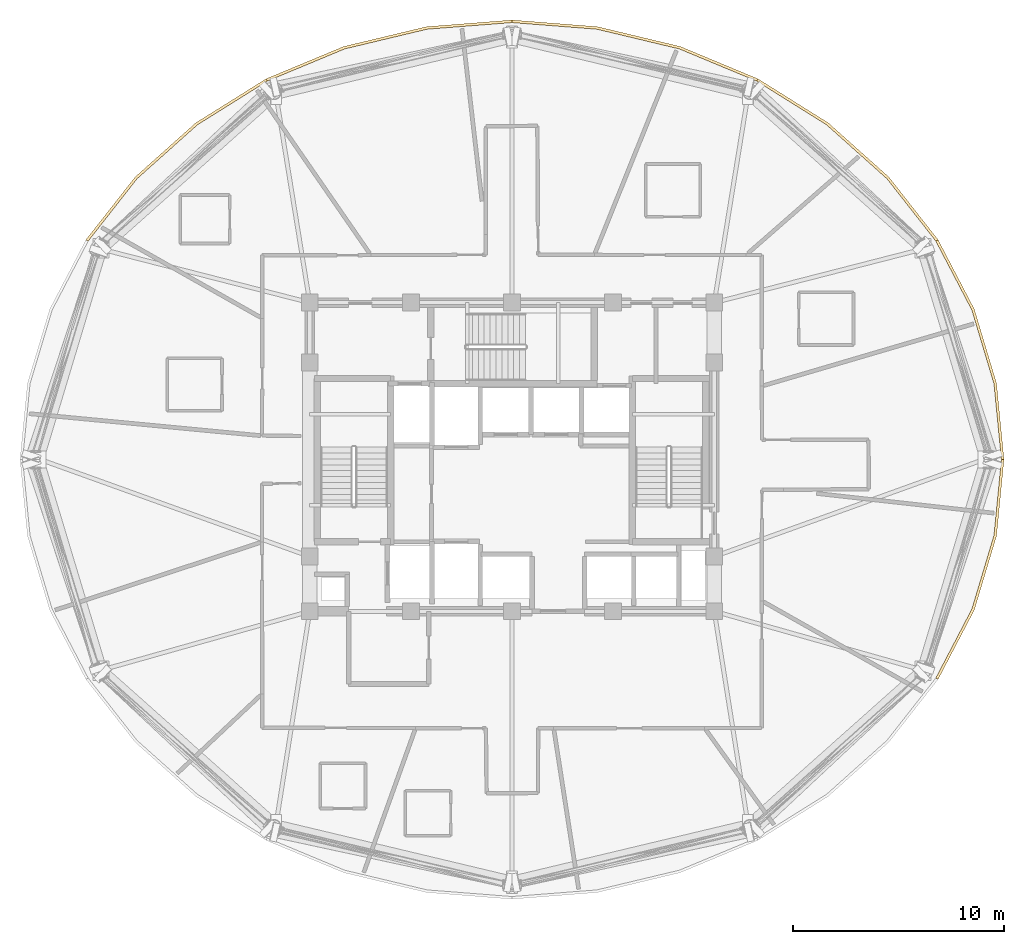
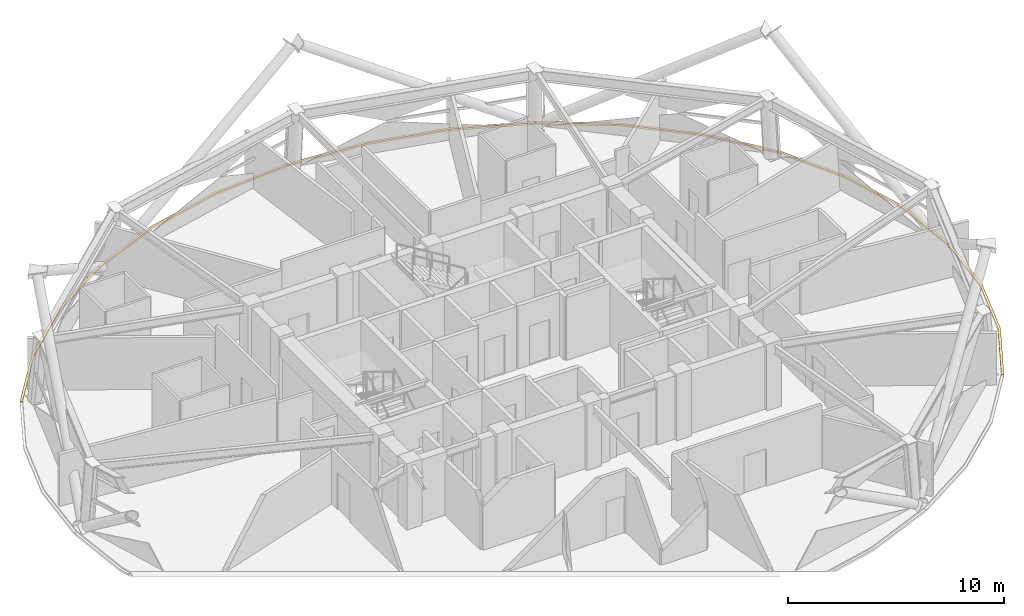
# One storey, part 12 of 12: 6 coverings.
"""IFC4 building model written with IfcOpenShell, lengths in metres."""

from ifc_helpers import new_model, si_unit, direction, frame, origin, place, context, subcontext, project, spatial, polyline, outline, extrude, material, layer, layer_set, type_object, element, save


model = new_model("IFC4")

# Units and contexts
model_context = context("Model", 3, precision=1e-05, world=origin(), true_north=direction((0.0, 1.0)))
body_context = subcontext(model_context, "Body", "Model", "MODEL_VIEW")
ifc_project = project(units=[si_unit("LENGTHUNIT", "METRE"), si_unit("AREAUNIT", "SQUARE_METRE"), si_unit("VOLUMEUNIT", "CUBIC_METRE"), si_unit("PLANEANGLEUNIT", "RADIAN"), si_unit("MASSUNIT", "GRAM", prefix="KILO")], contexts=[model_context])

# Site, building, storey
site_placement = place(None, origin())
site = spatial("IfcSite", under=ifc_project, at=site_placement, CompositionType="ELEMENT")
building_placement = place(site_placement, origin())
building = spatial("IfcBuilding", under=site, at=building_placement, Name="Vantalir Tower", CompositionType="ELEMENT")
storey_placement = place(building_placement, frame((0.0, 0.0, 197.39990234375)))
storey = spatial("IfcBuildingStorey", under=building, at=storey_placement, Name="L49", CompositionType="ELEMENT", Elevation=197.39990234375)

# Coverings
ifc_material = material(Name="Anodised champagne aluminium sill fascia", Category="aluminium")
ifc_layer = layer(ifc_material, 0.125)
ifc_layer_set = layer_set([ifc_layer], Name="Anodised champagne aluminium sill fascia")
covering_type = type_object("IfcCoveringType", Name="COV-SLAB-FASCIA-125", PredefinedType="CLADDING", material=ifc_layer_set)
covering_1_placement = place(storey_placement, frame((0.0, 0.0, -0.179931640625)))
element("IfcCovering", 1, at=covering_1_placement, inside=storey, type_object=covering_type, Name="L49 Perimeter Slab-Edge Sill Fascia 01", PredefinedType="CLADDING", context=body_context, shape_type="SweptSolid", body=[
    extrude(outline(polyline([(54.85107421875, 25.0), (54.49609375, 28.623046875), (53.443115234375, 32.135986328125), (51.722900390625, 35.430908203125), (51.614013671875, 35.368896484375), (53.324951171875, 32.093017578125), (54.373046875, 28.60107421875), (54.72607421875, 25.0), (54.85107421875, 25.0)])), origin(), (0.0, 0.0, 1.0), 0.10498046875),
])
covering_2_placement = place(storey_placement, frame((0.0, 0.0, -0.179931640625)))
element("IfcCovering", 2, at=covering_2_placement, inside=storey, type_object=covering_type, Name="L49 Perimeter Slab-Edge Sill Fascia 02", PredefinedType="CLADDING", context=body_context, shape_type="SweptSolid", body=[
    extrude(outline(polyline([(51.722900390625, 35.430908203125), (49.387939453125, 38.409912109375), (46.510009765625, 40.98193359375), (43.176025390625, 43.068115234375), (43.113037109375, 42.9599609375), (46.428955078125, 40.885986328125), (49.2919921875, 38.330078125), (51.614013671875, 35.368896484375), (51.722900390625, 35.430908203125)])), origin(), (0.0, 0.0, 1.0), 0.10498046875),
])
covering_3_placement = place(storey_placement, frame((0.0, 0.0, -0.179931640625)))
element("IfcCovering", 3, at=covering_3_placement, inside=storey, type_object=covering_type, Name="L49 Perimeter Slab-Edge Sill Fascia 03", PredefinedType="CLADDING", context=body_context, shape_type="SweptSolid", body=[
    extrude(outline(polyline([(43.176025390625, 43.068115234375), (39.487060546875, 44.60498046875), (35.554931640625, 45.5458984375), (31.5, 45.863037109375), (31.5, 45.738037109375), (35.532958984375, 45.423095703125), (39.444091796875, 44.487060546875), (43.113037109375, 42.9599609375), (43.176025390625, 43.068115234375)])), origin(), (0.0, 0.0, 1.0), 0.10498046875),
])
covering_4_placement = place(storey_placement, frame((0.0, 0.0, -0.179931640625)))
element("IfcCovering", 4, at=covering_4_placement, inside=storey, type_object=covering_type, Name="L49 Perimeter Slab-Edge Sill Fascia 04", PredefinedType="CLADDING", context=body_context, shape_type="SweptSolid", body=[
    extrude(outline(polyline([(31.5, 45.863037109375), (27.445068359375, 45.5458984375), (23.512939453125, 44.60498046875), (19.824951171875, 43.068115234375), (19.886962890625, 42.9599609375), (23.555908203125, 44.487060546875), (27.467041015625, 45.423095703125), (31.5, 45.738037109375), (31.5, 45.863037109375)])), origin(), (0.0, 0.0, 1.0), 0.10498046875),
])
covering_5_placement = place(storey_placement, frame((0.0, 0.0, -0.179931640625)))
element("IfcCovering", 5, at=covering_5_placement, inside=storey, type_object=covering_type, Name="L49 Perimeter Slab-Edge Sill Fascia 05", PredefinedType="CLADDING", context=body_context, shape_type="SweptSolid", body=[
    extrude(outline(polyline([(19.824951171875, 43.068115234375), (16.489990234375, 40.98193359375), (13.612060546875, 38.409912109375), (11.277099609375, 35.430908203125), (11.385986328125, 35.368896484375), (13.7080078125, 38.330078125), (16.571044921875, 40.885986328125), (19.886962890625, 42.9599609375), (19.824951171875, 43.068115234375)])), origin(), (0.0, 0.0, 1.0), 0.10498046875),
])
covering_6_placement = place(storey_placement, frame((0.0, 0.0, -0.179931640625)))
element("IfcCovering", 6, at=covering_6_placement, inside=storey, type_object=covering_type, Name="L49 Perimeter Slab-Edge Sill Fascia 12", PredefinedType="CLADDING", context=body_context, shape_type="SweptSolid", body=[
    extrude(outline(polyline([(51.722900390625, 14.568115234375), (53.443115234375, 17.864013671875), (54.49609375, 21.376953125), (54.85107421875, 25.0), (54.72607421875, 25.0), (54.373046875, 21.39892578125), (53.324951171875, 17.906982421875), (51.614013671875, 14.631103515625), (51.722900390625, 14.568115234375)])), origin(), (0.0, 0.0, 1.0), 0.10498046875),
])

save(model, "model.ifc")
